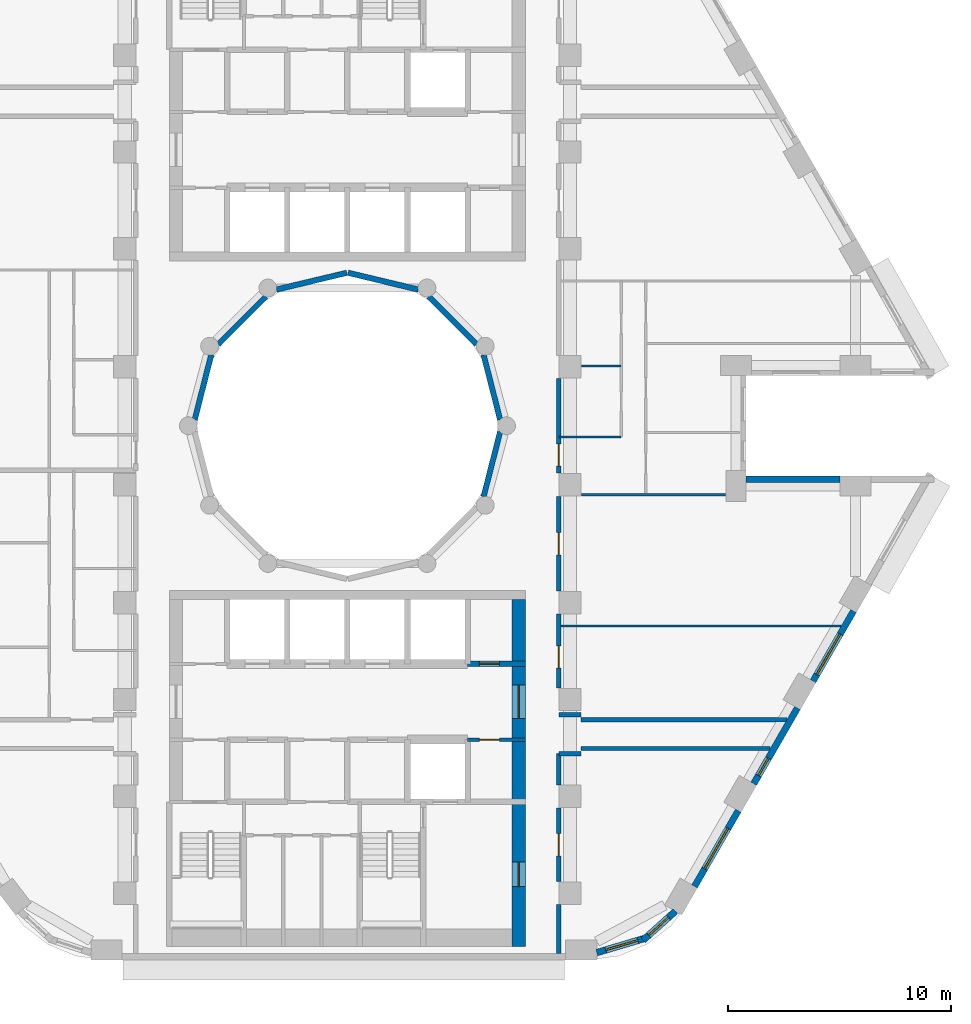
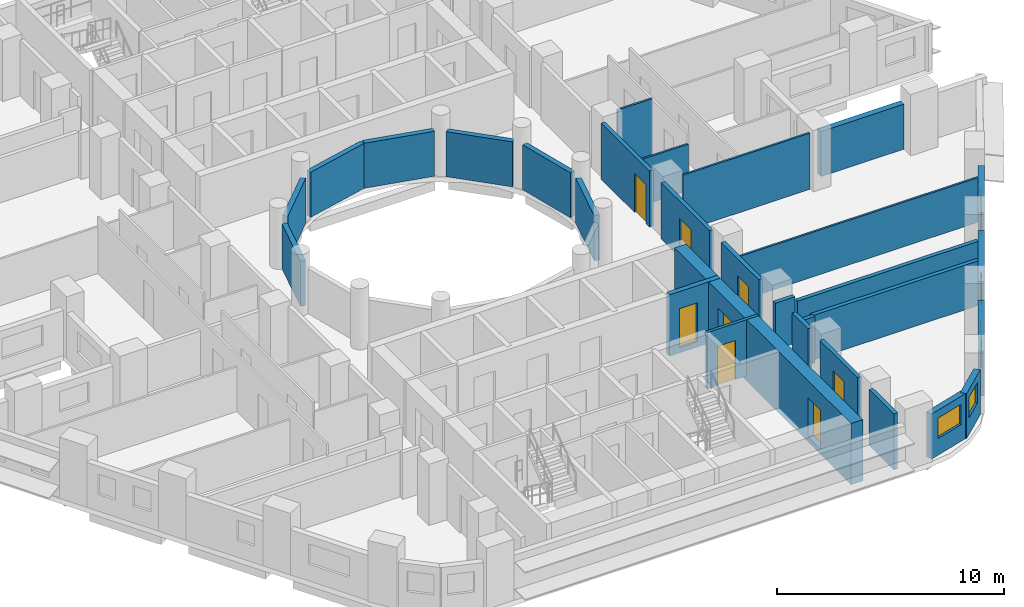
# One storey, part 5 of 12: 30 walls, 8 doors, 5 windows, 13 openings.
"""IFC4 building model written with IfcOpenShell, lengths in metres."""

from ifc_helpers import new_model, si_unit, direction, frame, frame_2d, origin, place, context, subcontext, project, spatial, rectangle, extrude, material, layer, layer_set, type_object, element, fill, save


model = new_model("IFC4")

# Units and contexts
model_context = context("Model", 3, precision=1e-05, world=origin(), true_north=direction((0.0, 1.0)))
body_context = subcontext(model_context, "Body", "Model", "MODEL_VIEW")
ifc_project = project(units=[si_unit("LENGTHUNIT", "METRE"), si_unit("AREAUNIT", "SQUARE_METRE"), si_unit("VOLUMEUNIT", "CUBIC_METRE"), si_unit("PLANEANGLEUNIT", "RADIAN"), si_unit("MASSUNIT", "GRAM", prefix="KILO")], contexts=[model_context])

# Site, building, storey
site_placement = place(None, origin())
site = spatial("IfcSite", under=ifc_project, at=site_placement, CompositionType="ELEMENT")
building_placement = place(site_placement, origin())
building = spatial("IfcBuilding", under=site, at=building_placement, Name="Nakaniwa Court", CompositionType="ELEMENT")
storey_placement = place(building_placement, frame((0.0, 0.0, 100.800048828125)))
storey = spatial("IfcBuildingStorey", under=building, at=storey_placement, Name="L26", CompositionType="ELEMENT", Elevation=100.800048828125)

# Wall
ifc_material_1 = material(Name="Acoustic double stud partition")
ifc_layer_1 = layer(ifc_material_1, 0.199951171875)
ifc_layer_set_1 = layer_set([ifc_layer_1], Name="Acoustic double stud partition")
wall_type_1 = type_object("IfcWallType", Name="Acoustic double stud partition 200", PredefinedType="PARTITIONING", material=ifc_layer_set_1)
wall_1_placement = place(storey_placement, frame((89.5, 56.300048828125, 0.0), z_axis=(0.0, 0.0, 1.0), x_axis=(0.0, 1.0, 0.0)))
element("IfcWall", 1, at=wall_1_placement, inside=storey, type_object=wall_type_1, Name="Partition PW-069", PredefinedType="PARTITIONING", context=body_context, shape_type="SweptSolid", body=[
    extrude(rectangle(XDim=2.182861328125, YDim=0.199951171875, at=frame_2d((1.09130859375, 0.0))), origin(), (0.0, 0.0, 1.0), 3.02490234375),
])

# Wall, opening, door
wall_2_placement = place(storey_placement, frame((89.5, 62.8330078125, 0.0), z_axis=(0.0, 0.0, 1.0), x_axis=(0.0, -1.0, 0.0)))
wall_2 = element("IfcWall", 2, at=wall_2_placement, inside=storey, type_object=wall_type_1, Name="Partition PW-070", PredefinedType="PARTITIONING", context=body_context, shape_type="SweptSolid", body=[
    extrude(rectangle(XDim=3.31591796875, YDim=0.199951171875, at=frame_2d((1.657958984375, 0.0))), origin(), (0.0, 0.0, 1.0), 3.02490234375),
])
opening_1_placement = place(wall_2_placement, frame((1.157958984375, 0.0, 0.0)))
opening_1 = element("IfcOpeningElement", 3, at=opening_1_placement, cuts=wall_2, Name="Opening D-02-05", PredefinedType="OPENING", context=body_context, shape_type="SweptSolid", body=[
    extrude(rectangle(XDim=1.0, YDim=2.10009765625, at=frame_2d((0.5, 1.050048828125))), frame((0.0, 0.10986328125, 0.0), z_axis=(0.0, -1.0, 0.0), x_axis=(1.0, 0.0, 0.0)), (0.0, 0.0, 1.0), 0.219970703125),
])
ifc_material_2 = material(Name="Solid core timber door set, black veneer", Category="wood")
door_type_1 = type_object("IfcDoorType", Name="Internal door 1000", OperationType="NOTDEFINED", PredefinedType="DOOR", material=ifc_material_2)
door_1_placement = place(opening_1_placement, origin())
door_1 = element("IfcDoor", 4, at=door_1_placement, inside=storey, type_object=door_type_1, Name="Door D-02-05 L26-047", OperationType="SINGLE_SWING_RIGHT", OverallHeight=2.10009765625, OverallWidth=1.0, PredefinedType="DOOR", context=body_context, shape_type="SweptSolid", body=[
    extrude(rectangle(XDim=1.0, YDim=2.10009765625, at=frame_2d((0.5, 1.050048828125))), frame((0.0, 0.02490234375, 0.0), z_axis=(0.0, -1.0, 0.0), x_axis=(1.0, 0.0, 0.0)), (0.0, 0.0, 1.0), 0.050048828125),
])
fill(opening_1, door_1)

# Wall
wall_3_placement = place(storey_placement, frame((89.5, 63.866943359375, 0.0), z_axis=(0.0, 0.0, 1.0), x_axis=(0.0, 1.0, 0.0)))
element("IfcWall", 5, at=wall_3_placement, inside=storey, type_object=wall_type_1, Name="Partition PW-071", PredefinedType="PARTITIONING", context=body_context, shape_type="SweptSolid", body=[
    extrude(rectangle(XDim=1.4111328125, YDim=0.199951171875, at=frame_2d((0.70556640625, 0.0))), origin(), (0.0, 0.0, 1.0), 3.02490234375),
])

# Wall, opening, door
wall_4_placement = place(storey_placement, frame((89.5, 71.532958984375, 0.0), z_axis=(0.0, 0.0, 1.0), x_axis=(0.0, -1.0, 0.0)))
wall_4 = element("IfcWall", 6, at=wall_4_placement, inside=storey, type_object=wall_type_1, Name="Partition PW-072", PredefinedType="PARTITIONING", context=body_context, shape_type="SweptSolid", body=[
    extrude(rectangle(XDim=3.31591796875, YDim=0.199951171875, at=frame_2d((1.657958984375, 0.0))), origin(), (0.0, 0.0, 1.0), 3.02490234375),
])
opening_2_placement = place(wall_4_placement, frame((1.423095703125, 0.0, 0.0)))
opening_2 = element("IfcOpeningElement", 7, at=opening_2_placement, cuts=wall_4, Name="Opening D-02-06", PredefinedType="OPENING", context=body_context, shape_type="SweptSolid", body=[
    extrude(rectangle(XDim=1.0, YDim=2.10009765625, at=frame_2d((0.5, 1.050048828125))), frame((0.0, 0.10986328125, 0.0), z_axis=(0.0, -1.0, 0.0), x_axis=(1.0, 0.0, 0.0)), (0.0, 0.0, 1.0), 0.219970703125),
])
door_2_placement = place(opening_2_placement, origin())
door_2 = element("IfcDoor", 8, at=door_2_placement, inside=storey, type_object=door_type_1, Name="Door D-02-06 L26-048", OperationType="SINGLE_SWING_LEFT", OverallHeight=2.10009765625, OverallWidth=1.0, PredefinedType="DOOR", context=body_context, shape_type="SweptSolid", body=[
    extrude(rectangle(XDim=1.0, YDim=2.10009765625, at=frame_2d((0.5, 1.050048828125))), frame((0.0, 0.02490234375, 0.0), z_axis=(0.0, -1.0, 0.0), x_axis=(1.0, 0.0, 0.0)), (0.0, 0.0, 1.0), 0.050048828125),
])
fill(opening_2, door_2)

wall_5_placement = place(storey_placement, frame((89.5, 76.8330078125, 0.0), z_axis=(0.0, 0.0, 1.0), x_axis=(0.0, -1.0, 0.0)))
wall_5 = element("IfcWall", 9, at=wall_5_placement, inside=storey, type_object=wall_type_1, Name="Partition PW-073", PredefinedType="PARTITIONING", context=body_context, shape_type="SweptSolid", body=[
    extrude(rectangle(XDim=4.26611328125, YDim=0.199951171875, at=frame_2d((2.133056640625, 0.0))), origin(), (0.0, 0.0, 1.0), 3.02490234375),
])
opening_3_placement = place(wall_5_placement, frame((1.633056640625, 0.0, 0.0)))
opening_3 = element("IfcOpeningElement", 10, at=opening_3_placement, cuts=wall_5, Name="Opening D-02-01", PredefinedType="OPENING", context=body_context, shape_type="SweptSolid", body=[
    extrude(rectangle(XDim=1.0, YDim=2.10009765625, at=frame_2d((0.5, 1.050048828125))), frame((0.0, 0.10986328125, 0.0), z_axis=(0.0, -1.0, 0.0), x_axis=(1.0, 0.0, 0.0)), (0.0, 0.0, 1.0), 0.219970703125),
])
door_3_placement = place(opening_3_placement, origin())
door_3 = element("IfcDoor", 11, at=door_3_placement, inside=storey, type_object=door_type_1, Name="Door D-02-01 L26-027", OperationType="SINGLE_SWING_RIGHT", OverallHeight=2.10009765625, OverallWidth=1.0, PredefinedType="DOOR", context=body_context, shape_type="SweptSolid", body=[
    extrude(rectangle(XDim=1.0, YDim=2.10009765625, at=frame_2d((0.5, 1.050048828125))), frame((0.0, 0.02490234375, 0.0), z_axis=(0.0, -1.0, 0.0), x_axis=(1.0, 0.0, 0.0)), (0.0, 0.0, 1.0), 0.050048828125),
])
fill(opening_3, door_3)

wall_6_placement = place(storey_placement, frame((89.5, 82.133056640625, 0.0), z_axis=(0.0, 0.0, 1.0), x_axis=(0.0, -1.0, 0.0)))
wall_6 = element("IfcWall", 12, at=wall_6_placement, inside=storey, type_object=wall_type_1, Name="Partition PW-074", PredefinedType="PARTITIONING", context=body_context, shape_type="SweptSolid", body=[
    extrude(rectangle(XDim=4.26611328125, YDim=0.199951171875, at=frame_2d((2.133056640625, 0.0))), origin(), (0.0, 0.0, 1.0), 3.02490234375),
])
opening_4_placement = place(wall_6_placement, frame((2.947998046875, 0.0, 0.0)))
opening_4 = element("IfcOpeningElement", 13, at=opening_4_placement, cuts=wall_6, Name="Opening D-01-01", PredefinedType="OPENING", context=body_context, shape_type="SweptSolid", body=[
    extrude(rectangle(XDim=1.0, YDim=2.10009765625, at=frame_2d((0.5, 1.050048828125))), frame((0.0, 0.10986328125, 0.0), z_axis=(0.0, -1.0, 0.0), x_axis=(1.0, 0.0, 0.0)), (0.0, 0.0, 1.0), 0.219970703125),
])
door_type_2 = type_object("IfcDoorType", Name="Flat entrance door 1000", OperationType="NOTDEFINED", PredefinedType="DOOR", material=ifc_material_2)
door_4_placement = place(opening_4_placement, origin())
door_4 = element("IfcDoor", 14, at=door_4_placement, inside=storey, type_object=door_type_2, Name="Door D-01-01 L26-028", OperationType="SINGLE_SWING_LEFT", OverallHeight=2.10009765625, OverallWidth=1.0, PredefinedType="DOOR", context=body_context, shape_type="SweptSolid", body=[
    extrude(rectangle(XDim=1.0, YDim=2.10009765625, at=frame_2d((0.5, 1.050048828125))), frame((0.0, 0.02490234375, 0.0), z_axis=(0.0, -1.0, 0.0), x_axis=(1.0, 0.0, 0.0)), (0.0, 0.0, 1.0), 0.050048828125),
])
fill(opening_4, door_4)

# Walls
wall_7_placement = place(storey_placement, frame((90.5, 65.5, 0.0), z_axis=(0.0, 0.0, 1.0), x_axis=(1.0, 0.0, 0.0)))
element("IfcWall", 15, at=wall_7_placement, inside=storey, type_object=wall_type_1, Name="Partition PW-090", PredefinedType="PARTITIONING", context=body_context, shape_type="SweptSolid", body=[
    extrude(rectangle(XDim=8.494873046875, YDim=0.199951171875, at=frame_2d((4.24755859375, 0.0))), origin(), (0.0, 0.0, 1.0), 2.405029296875),
])
for number, where, z_axis, x_axis, name in (
    (16, (89.5, 65.27490234375, 0.0), (0.0, 0.0, 1.0), (1.0, 0.0, 0.0), "Partition PW-092"),
    (17, (89.5, 67.02490234375, 0.0), (0.0, 0.0, 1.0), (1.0, 0.0, 0.0), "Partition PW-094"),
):
    element("IfcWall", number, at=place(storey_placement, frame(where, z_axis=z_axis, x_axis=x_axis)), inside=storey, type_object=wall_type_1, Name=name, PredefinedType="PARTITIONING", context=body_context, shape_type="SweptSolid", body=[
        extrude(rectangle(XDim=1.0, YDim=0.199951171875, at=frame_2d((0.5, 0.0))), origin(), (0.0, 0.0, 1.0), 2.5048828125),
    ])
wall_8_placement = place(storey_placement, frame((90.5, 66.800048828125, 0.0), z_axis=(0.0, 0.0, 1.0), x_axis=(1.0, 0.0, 0.0)))
element("IfcWall", 18, at=wall_8_placement, inside=storey, type_object=wall_type_1, Name="Partition PW-096", PredefinedType="PARTITIONING", context=body_context, shape_type="SweptSolid", body=[
    extrude(rectangle(XDim=9.245361328125, YDim=0.199951171875, at=frame_2d((4.62255859375, 0.0))), origin(), (0.0, 0.0, 1.0), 2.405029296875),
])

# Wall, opening, window
ifc_material_3 = material(Name="Charcoal ceramic cladding")
ifc_layer_2 = layer(ifc_material_3, 0.02, Name="Ceramic cladding")
ifc_material_4 = material(Name="Ventilated air cavity")
ifc_layer_3 = layer(ifc_material_4, 0.04, ventilated=True, Name="Ventilated cavity")
ifc_material_5 = material(Name="Mineral wool insulation")
ifc_layer_4 = layer(ifc_material_5, 0.1, Name="Insulation")
ifc_material_6 = material(Name="Cement bonded sheathing board")
ifc_layer_5 = layer(ifc_material_6, 0.012, Name="Sheathing")
ifc_material_7 = material(Name="Cold-formed galvanised stud frame with mineral wool infill")
ifc_layer_6 = layer(ifc_material_7, 0.1, Name="Stud frame")
ifc_material_8 = material(Name="Fire-rated gypsum plasterboard lining")
ifc_layer_7 = layer(ifc_material_8, 0.028, Name="Lining")
ifc_layer_set_2 = layer_set([ifc_layer_2, ifc_layer_3, ifc_layer_4, ifc_layer_5, ifc_layer_6, ifc_layer_7], Name="Charcoal ceramic faced external wall system")
wall_type_2 = type_object("IfcWallType", Name="Black ceramic faced external wall 300", PredefinedType="SOLIDWALL", material=ifc_layer_set_2)
wall_9_placement = place(storey_placement, frame((91.203369140625, 56.329833984375, 0.0), z_axis=(0.0, 0.0, 1.0), x_axis=(0.95847736903, 0.285168604614, 0.0)))
wall_9 = element("IfcWall", 19, at=wall_9_placement, inside=storey, type_object=wall_type_2, Name="L26 external wall 27", PredefinedType="SOLIDWALL", context=body_context, shape_type="SweptSolid", body=[
    extrude(rectangle(XDim=2.261962890625, YDim=0.300048828125, at=frame_2d((1.130859375, 0.0))), origin(), (0.0, 0.0, 1.0), 2.425048828125),
])
opening_5_placement = place(wall_9_placement, frame((0.418701171875, 0.0, 0.89990234375)))
opening_5 = element("IfcOpeningElement", 20, at=opening_5_placement, cuts=wall_9, Name="Opening W5.29", PredefinedType="OPENING", context=body_context, shape_type="SweptSolid", body=[
    extrude(rectangle(XDim=1.5, YDim=1.10009765625, at=frame_2d((0.75, 0.550048828125))), frame((0.0, 0.159912109375, 0.0), z_axis=(0.0, -1.0, 0.0), x_axis=(1.0, 0.0, 0.0)), (0.0, 0.0, 1.0), 0.320068359375),
])
ifc_material_9 = material(Name="Black anodised aluminium frame with dark low-E laminated double glazing", Category="aluminium")
window_type_1 = type_object("IfcWindowType", Name="Dark glass window 1500x1100 sill 900", PartitioningType="SINGLE_PANEL", PredefinedType="WINDOW", material=ifc_material_9)
window_1_placement = place(opening_5_placement, origin())
window_1 = element("IfcWindow", 21, at=window_1_placement, inside=storey, type_object=window_type_1, Name="L26 habitable room window 27-0", OverallHeight=1.10009765625, OverallWidth=1.5, PartitioningType="SINGLE_PANEL", PredefinedType="WINDOW", context=body_context, shape_type="SweptSolid", body=[
    extrude(rectangle(XDim=1.5, YDim=1.10009765625, at=frame_2d((0.75, 0.550048828125))), frame((0.0, 0.030029296875, 0.0), z_axis=(0.0, -1.0, 0.0), x_axis=(1.0, 0.0, 0.0)), (0.0, 0.0, 1.0), 0.06005859375),
])
fill(opening_5, window_1)

wall_10_placement = place(storey_placement, frame((93.283447265625, 56.88671875, 0.0), z_axis=(0.0, 0.0, 1.0), x_axis=(0.743785734967, 0.668418117992, 0.0)))
wall_10 = element("IfcWall", 22, at=wall_10_placement, inside=storey, type_object=wall_type_2, Name="L26 external wall 28", PredefinedType="SOLIDWALL", context=body_context, shape_type="SweptSolid", body=[
    extrude(rectangle(XDim=1.9501953125, YDim=0.300048828125, at=frame_2d((0.97509765625, 0.0))), origin(), (0.0, 0.0, 1.0), 2.425048828125),
])
opening_6_placement = place(wall_10_placement, frame((0.334716796875, 0.0, 0.89990234375)))
opening_6 = element("IfcOpeningElement", 23, at=opening_6_placement, cuts=wall_10, Name="Opening W6.30", PredefinedType="OPENING", context=body_context, shape_type="SweptSolid", body=[
    extrude(rectangle(XDim=1.199951171875, YDim=1.10009765625, at=frame_2d((0.60009765625, 0.550048828125))), frame((0.0, 0.159912109375, 0.0), z_axis=(0.0, -1.0, 0.0), x_axis=(1.0, 0.0, 0.0)), (0.0, 0.0, 1.0), 0.320068359375),
])
window_type_2 = type_object("IfcWindowType", Name="Dark glass window 1200x1100 sill 900", PartitioningType="SINGLE_PANEL", PredefinedType="WINDOW", material=ifc_material_9)
window_2_placement = place(opening_6_placement, origin())
window_2 = element("IfcWindow", 24, at=window_2_placement, inside=storey, type_object=window_type_2, Name="L26 habitable room window 28-0", OverallHeight=1.10009765625, OverallWidth=1.199951171875, PartitioningType="SINGLE_PANEL", PredefinedType="WINDOW", context=body_context, shape_type="SweptSolid", body=[
    extrude(rectangle(XDim=1.199951171875, YDim=1.10009765625, at=frame_2d((0.60009765625, 0.550048828125))), frame((0.0, 0.030029296875, 0.0), z_axis=(0.0, -1.0, 0.0), x_axis=(1.0, 0.0, 0.0)), (0.0, 0.0, 1.0), 0.06005859375),
])
fill(opening_6, window_2)

wall_11_placement = place(storey_placement, frame((95.59033203125, 59.30322265625, 0.0), z_axis=(0.0, 0.0, 1.0), x_axis=(0.500003583557, 0.866023334807, 0.0)))
wall_11 = element("IfcWall", 25, at=wall_11_placement, inside=storey, type_object=wall_type_2, Name="L26 external wall 29", PredefinedType="SOLIDWALL", context=body_context, shape_type="SweptSolid", body=[
    extrude(rectangle(XDim=3.93408203125, YDim=0.300048828125, at=frame_2d((1.967041015625, 0.0))), origin(), (0.0, 0.0, 1.0), 2.425048828125),
])
opening_7_placement = place(wall_11_placement, frame((0.9169921875, 0.0, 0.89990234375)))
opening_7 = element("IfcOpeningElement", 26, at=opening_7_placement, cuts=wall_11, Name="Opening W7.31", PredefinedType="OPENING", context=body_context, shape_type="SweptSolid", body=[
    extrude(rectangle(XDim=2.10009765625, YDim=1.10009765625, at=frame_2d((1.050048828125, 0.550048828125))), frame((0.0, 0.159912109375, 0.0), z_axis=(0.0, -1.0, 0.0), x_axis=(1.0, 0.0, 0.0)), (0.0, 0.0, 1.0), 0.320068359375),
])
window_type_3 = type_object("IfcWindowType", Name="Dark glass window 2100x1100 sill 900", PartitioningType="SINGLE_PANEL", PredefinedType="WINDOW", material=ifc_material_9)
window_3_placement = place(opening_7_placement, origin())
window_3 = element("IfcWindow", 27, at=window_3_placement, inside=storey, type_object=window_type_3, Name="L26 habitable room window 29-0", OverallHeight=1.10009765625, OverallWidth=2.10009765625, PartitioningType="SINGLE_PANEL", PredefinedType="WINDOW", context=body_context, shape_type="SweptSolid", body=[
    extrude(rectangle(XDim=2.10009765625, YDim=1.10009765625, at=frame_2d((1.050048828125, 0.550048828125))), frame((0.0, 0.030029296875, 0.0), z_axis=(0.0, -1.0, 0.0), x_axis=(1.0, 0.0, 0.0)), (0.0, 0.0, 1.0), 0.06005859375),
])
fill(opening_7, window_3)

wall_12_placement = place(storey_placement, frame((98.25341796875, 63.91552734375, 0.0), z_axis=(0.0, 0.0, 1.0), x_axis=(0.499957037901, 0.866050206543, 0.0)))
wall_12 = element("IfcWall", 28, at=wall_12_placement, inside=storey, type_object=wall_type_2, Name="L26 external wall 30", PredefinedType="SOLIDWALL", context=body_context, shape_type="SweptSolid", body=[
    extrude(rectangle(XDim=3.933837890625, YDim=0.300048828125, at=frame_2d((1.966796875, 0.0))), origin(), (0.0, 0.0, 1.0), 2.425048828125),
])
opening_8_placement = place(wall_12_placement, frame((0.427734375, 0.0, 0.89990234375)))
opening_8 = element("IfcOpeningElement", 29, at=opening_8_placement, cuts=wall_12, Name="Opening W9.32", PredefinedType="OPENING", context=body_context, shape_type="SweptSolid", body=[
    extrude(rectangle(XDim=0.89990234375, YDim=1.10009765625, at=frame_2d((0.449951171875, 0.550048828125))), frame((0.0, 0.159912109375, 0.0), z_axis=(0.0, -1.0, 0.0), x_axis=(1.0, 0.0, 0.0)), (0.0, 0.0, 1.0), 0.320068359375),
])
window_type_4 = type_object("IfcWindowType", Name="Dark glass window 900x1100 sill 900", PartitioningType="SINGLE_PANEL", PredefinedType="WINDOW", material=ifc_material_9)
window_4_placement = place(opening_8_placement, origin())
window_4 = element("IfcWindow", 30, at=window_4_placement, inside=storey, type_object=window_type_4, Name="L26 habitable room window 30-0", OverallHeight=1.10009765625, OverallWidth=0.89990234375, PartitioningType="SINGLE_PANEL", PredefinedType="WINDOW", context=body_context, shape_type="SweptSolid", body=[
    extrude(rectangle(XDim=0.89990234375, YDim=1.10009765625, at=frame_2d((0.449951171875, 0.550048828125))), frame((0.0, 0.030029296875, 0.0), z_axis=(0.0, -1.0, 0.0), x_axis=(1.0, 0.0, 0.0)), (0.0, 0.0, 1.0), 0.06005859375),
])
fill(opening_8, window_4)

wall_13_placement = place(storey_placement, frame((100.916259765625, 68.528076171875, 0.0), z_axis=(0.0, 0.0, 1.0), x_axis=(0.500009139881, 0.866020126807, 0.0)))
wall_13 = element("IfcWall", 31, at=wall_13_placement, inside=storey, type_object=wall_type_2, Name="L26 external wall 31", PredefinedType="SOLIDWALL", context=body_context, shape_type="SweptSolid", body=[
    extrude(rectangle(XDim=3.63671875, YDim=0.300048828125, at=frame_2d((1.818359375, 0.0))), origin(), (0.0, 0.0, 1.0), 2.425048828125),
])
opening_9_placement = place(wall_13_placement, frame((0.340087890625, 0.0, 0.89990234375)))
opening_9 = element("IfcOpeningElement", 32, at=opening_9_placement, cuts=wall_13, Name="Opening W7.33", PredefinedType="OPENING", context=body_context, shape_type="SweptSolid", body=[
    extrude(rectangle(XDim=2.10009765625, YDim=1.10009765625, at=frame_2d((1.050048828125, 0.550048828125))), frame((0.0, 0.159912109375, 0.0), z_axis=(0.0, -1.0, 0.0), x_axis=(1.0, 0.0, 0.0)), (0.0, 0.0, 1.0), 0.320068359375),
])
window_5_placement = place(opening_9_placement, origin())
window_5 = element("IfcWindow", 33, at=window_5_placement, inside=storey, type_object=window_type_3, Name="L26 habitable room window 31-0", OverallHeight=1.10009765625, OverallWidth=2.10009765625, PartitioningType="SINGLE_PANEL", PredefinedType="WINDOW", context=body_context, shape_type="SweptSolid", body=[
    extrude(rectangle(XDim=2.10009765625, YDim=1.10009765625, at=frame_2d((1.050048828125, 0.550048828125))), frame((0.0, 0.030029296875, 0.0), z_axis=(0.0, -1.0, 0.0), x_axis=(1.0, 0.0, 0.0)), (0.0, 0.0, 1.0), 0.06005859375),
])
fill(opening_9, window_5)

# Wall
wall_14_placement = place(storey_placement, frame((102.126953125, 77.60009765625, 0.0), z_axis=(0.0, 0.0, 1.0), x_axis=(-1.0, 0.0, 0.0)))
element("IfcWall", 34, at=wall_14_placement, inside=storey, type_object=wall_type_2, Name="L26 external wall 34", PredefinedType="SOLIDWALL", context=body_context, shape_type="SweptSolid", body=[
    extrude(rectangle(XDim=4.22265625, YDim=0.300048828125, at=frame_2d((2.111328125, 0.0))), origin(), (0.0, 0.0, 1.0), 2.425048828125),
])

# Wall, opening, door
ifc_material_10 = material(Name="Blockwork partition", Category="masonry")
ifc_layer_8 = layer(ifc_material_10, 0.14990234375)
ifc_layer_set_3 = layer_set([ifc_layer_8], Name="Blockwork partition")
wall_type_3 = type_object("IfcWallType", Name="Blockwork partition 150", PredefinedType="PARTITIONING", material=ifc_layer_set_3)
wall_15_placement = place(storey_placement, frame((88.0, 65.89990234375, 0.0), z_axis=(0.0, 0.0, 1.0), x_axis=(-1.0, 0.0, 0.0)))
wall_15 = element("IfcWall", 35, at=wall_15_placement, inside=storey, type_object=wall_type_3, Name="Partition PW-052", PredefinedType="PARTITIONING", context=body_context, shape_type="SweptSolid", body=[
    extrude(rectangle(XDim=2.60302734375, YDim=0.14990234375, at=frame_2d((1.301513671875, 0.0))), origin(), (0.0, 0.0, 1.0), 3.02490234375),
])
opening_10_placement = place(wall_15_placement, frame((1.175048828125, 0.0, 0.0)))
opening_10 = element("IfcOpeningElement", 36, at=opening_10_placement, cuts=wall_15, Name="Opening D-05-13", PredefinedType="OPENING", context=body_context, shape_type="SweptSolid", body=[
    extrude(rectangle(XDim=0.89990234375, YDim=2.10009765625, at=frame_2d((0.449951171875, 1.050048828125))), frame((0.0, 0.0849609375, 0.0), z_axis=(0.0, -1.0, 0.0), x_axis=(1.0, 0.0, 0.0)), (0.0, 0.0, 1.0), 0.169921875),
])
ifc_material_11 = material(Name="Fire rated steel door set", Category="steel")
door_type_3 = type_object("IfcDoorType", Name="Service room door 900", OperationType="NOTDEFINED", PredefinedType="DOOR", material=ifc_material_11)
door_5_placement = place(opening_10_placement, origin())
door_5 = element("IfcDoor", 37, at=door_5_placement, inside=storey, type_object=door_type_3, Name="Door D-05-13 L26-020", OperationType="SINGLE_SWING_LEFT", OverallHeight=2.10009765625, OverallWidth=0.89990234375, PredefinedType="DOOR", context=body_context, shape_type="SweptSolid", body=[
    extrude(rectangle(XDim=0.89990234375, YDim=2.10009765625, at=frame_2d((0.449951171875, 1.050048828125))), frame((0.0, 0.02490234375, 0.0), z_axis=(0.0, -1.0, 0.0), x_axis=(1.0, 0.0, 0.0)), (0.0, 0.0, 1.0), 0.050048828125),
])
fill(opening_10, door_5)

# Walls
ifc_layer_9 = layer(ifc_material_3, 0.02, Name="Ceramic cladding")
ifc_layer_10 = layer(ifc_material_4, 0.04, ventilated=True, Name="Ventilated cavity")
ifc_layer_11 = layer(ifc_material_5, 0.075, Name="Insulation")
ifc_layer_12 = layer(ifc_material_6, 0.012, Name="Sheathing")
ifc_layer_13 = layer(ifc_material_7, 0.075, Name="Stud frame")
ifc_layer_14 = layer(ifc_material_8, 0.028, Name="Lining")
ifc_layer_set_4 = layer_set([ifc_layer_9, ifc_layer_10, ifc_layer_11, ifc_layer_12, ifc_layer_13, ifc_layer_14], Name="Charcoal ceramic faced external wall system")
wall_type_4 = type_object("IfcWallType", Name="Charcoal ceramic faced well wall 250", PredefinedType="SOLIDWALL", material=ifc_layer_set_4)
for number, where, z_axis, x_axis, name in (
    (38, (86.8603515625, 79.72998046875, 0.0), (0.0, 0.0, 1.0), (-0.247055971283, -0.969001211069, 0.0), "L26 external wall 36"),
    (39, (73.1396484375, 80.27001953125, 0.0), (0.0, 0.0, 1.0), (0.247055971283, 0.969001211069, 0.0), "L26 external wall 42"),
):
    element("IfcWall", number, at=place(storey_placement, frame(where, z_axis=z_axis, x_axis=x_axis)), inside=storey, type_object=wall_type_4, Name=name, PredefinedType="SOLIDWALL", context=body_context, shape_type="SweptSolid", body=[
        extrude(rectangle(XDim=3.010009765625, YDim=0.25, at=frame_2d((1.5048828125, 0.0))), origin(), (0.0, 0.0, 1.0), 2.425048828125),
    ])
wall_16_placement = place(storey_placement, frame((74.1943359375, 83.660888671875, 0.0), z_axis=(0.0, 0.0, 1.0), x_axis=(0.707106781187, 0.707106781187, 0.0)))
element("IfcWall", 40, at=wall_16_placement, inside=storey, type_object=wall_type_4, Name="L26 external wall 43", PredefinedType="SOLIDWALL", context=body_context, shape_type="SweptSolid", body=[
    extrude(rectangle(XDim=3.033203125, YDim=0.25, at=frame_2d((1.5166015625, 0.0))), origin(), (0.0, 0.0, 1.0), 2.425048828125),
])
for number, where, z_axis, x_axis, name in (
    (41, (76.813720703125, 86.119384765625, 0.0), (0.0, 0.0, 1.0), (0.972773113459, 0.231759508395, 0.0), "L26 external wall 44"),
    (42, (80.029052734375, 86.87158203125, 0.0), (0.0, 0.0, 1.0), (0.972773113459, -0.231759508395, 0.0), "L26 external wall 45"),
):
    element("IfcWall", number, at=place(storey_placement, frame(where, z_axis=z_axis, x_axis=x_axis)), inside=storey, type_object=wall_type_4, Name=name, PredefinedType="SOLIDWALL", context=body_context, shape_type="SweptSolid", body=[
        extrude(rectangle(XDim=3.24560546875, YDim=0.25, at=frame_2d((1.622802734375, 0.0))), origin(), (0.0, 0.0, 1.0), 2.425048828125),
    ])
wall_17_placement = place(storey_placement, frame((83.660888671875, 85.8056640625, 0.0), z_axis=(0.0, 0.0, 1.0), x_axis=(0.707106781187, -0.707106781187, 0.0)))
element("IfcWall", 43, at=wall_17_placement, inside=storey, type_object=wall_type_4, Name="L26 external wall 46", PredefinedType="SOLIDWALL", context=body_context, shape_type="SweptSolid", body=[
    extrude(rectangle(XDim=3.033203125, YDim=0.25, at=frame_2d((1.5166015625, 0.0))), origin(), (0.0, 0.0, 1.0), 2.425048828125),
])
wall_18_placement = place(storey_placement, frame((86.11669921875, 83.186767578125, 0.0), z_axis=(0.0, 0.0, 1.0), x_axis=(0.247055971283, -0.969001211069, 0.0)))
element("IfcWall", 44, at=wall_18_placement, inside=storey, type_object=wall_type_4, Name="L26 external wall 47", PredefinedType="SOLIDWALL", context=body_context, shape_type="SweptSolid", body=[
    extrude(rectangle(XDim=3.010009765625, YDim=0.25, at=frame_2d((1.5048828125, 0.0))), origin(), (0.0, 0.0, 1.0), 2.425048828125),
])

# Wall, openings, doors
ifc_material_12 = material(Name="Concrete C80/100", Category="concrete")
ifc_layer_15 = layer(ifc_material_12, 0.60009765625)
ifc_layer_set_5 = layer_set([ifc_layer_15], Name="Concrete C80/100")
wall_type_5 = type_object("IfcWallType", Name="Concrete core side wall 600 C80", PredefinedType="SHEAR", material=ifc_layer_set_5)
wall_19_placement = place(storey_placement, frame((87.699951171875, 72.199951171875, -0.275146484375), z_axis=(0.0, 0.0, 1.0), x_axis=(0.0, -1.0, 0.0)))
wall_19 = element("IfcWall", 45, at=wall_19_placement, inside=storey, type_object=wall_type_5, Name="Core wall SW-49", PredefinedType="SHEAR", context=body_context, shape_type="SweptSolid", body=[
    extrude(rectangle(XDim=15.599853515625, YDim=0.60009765625, at=frame_2d((7.7998046875, 0.0))), origin(), (0.0, 0.0, 1.0), 3.300048828125),
])
opening_11_placement = place(wall_19_placement, frame((3.85009765625, 0.0, 0.27490234375)))
opening_11 = element("IfcOpeningElement", 46, at=opening_11_placement, cuts=wall_19, Name="Opening D-07-03", PredefinedType="OPENING", context=body_context, shape_type="SweptSolid", body=[
    extrude(rectangle(XDim=1.5, YDim=2.10009765625, at=frame_2d((0.75, 1.050048828125))), frame((0.0, 0.31005859375, 0.0), z_axis=(0.0, -1.0, 0.0), x_axis=(1.0, 0.0, 0.0)), (0.0, 0.0, 1.0), 0.6201171875),
])
opening_12_placement = place(wall_19_placement, frame((11.800048828125, 0.0, 0.27490234375)))
opening_12 = element("IfcOpeningElement", 47, at=opening_12_placement, cuts=wall_19, Name="Opening D-10-02", PredefinedType="OPENING", context=body_context, shape_type="SweptSolid", body=[
    extrude(rectangle(XDim=1.10009765625, YDim=2.10009765625, at=frame_2d((0.550048828125, 1.050048828125))), frame((0.0, 0.31005859375, 0.0), z_axis=(0.0, -1.0, 0.0), x_axis=(1.0, 0.0, 0.0)), (0.0, 0.0, 1.0), 0.6201171875),
])
door_type_4 = type_object("IfcDoorType", Name="Firefighting lobby door 1100", OperationType="NOTDEFINED", PredefinedType="DOOR", material=ifc_material_11)
door_6_placement = place(opening_12_placement, origin())
door_6 = element("IfcDoor", 48, at=door_6_placement, inside=storey, type_object=door_type_4, Name="Door D-10-02 L26-056", OperationType="SINGLE_SWING_LEFT", OverallHeight=2.10009765625, OverallWidth=1.10009765625, PredefinedType="DOOR", context=body_context, shape_type="SweptSolid", body=[
    extrude(rectangle(XDim=1.10009765625, YDim=2.10009765625, at=frame_2d((0.550048828125, 1.050048828125))), frame((0.0, 0.02490234375, 0.0), z_axis=(0.0, -1.0, 0.0), x_axis=(1.0, 0.0, 0.0)), (0.0, 0.0, 1.0), 0.050048828125),
])
fill(opening_12, door_6)
ifc_material_13 = material(Name="Glazed fire rated steel double door set", Category="steel")
door_type_5 = type_object("IfcDoorType", Name="Lobby double door 1500", OperationType="NOTDEFINED", PredefinedType="DOOR", material=ifc_material_13)
door_7_placement = place(opening_11_placement, origin())
door_7 = element("IfcDoor", 49, at=door_7_placement, inside=storey, type_object=door_type_5, Name="Door D-07-03 L26-054", OperationType="DOUBLE_DOOR_SINGLE_SWING", OverallHeight=2.10009765625, OverallWidth=1.5, PredefinedType="DOOR", context=body_context, shape_type="SweptSolid", body=[
    extrude(rectangle(XDim=1.5, YDim=2.10009765625, at=frame_2d((0.75, 1.050048828125))), frame((0.0, 0.02490234375, 0.0), z_axis=(0.0, -1.0, 0.0), x_axis=(1.0, 0.0, 0.0)), (0.0, 0.0, 1.0), 0.050048828125),
])
fill(opening_11, door_7)

# Wall, opening, door
ifc_layer_16 = layer(ifc_material_12, 0.25)
ifc_layer_set_6 = layer_set([ifc_layer_16], Name="Concrete C80/100")
wall_type_6 = type_object("IfcWallType", Name="Concrete shaft wall 250 C80", PredefinedType="SHEAR", material=ifc_layer_set_6)
wall_20_placement = place(storey_placement, frame((85.39990234375, 69.300048828125, -0.275146484375), z_axis=(0.0, 0.0, 1.0), x_axis=(1.0, 0.0, 0.0)))
wall_20 = element("IfcWall", 50, at=wall_20_placement, inside=storey, type_object=wall_type_6, Name="Core wall SW-48", PredefinedType="SHEAR", context=body_context, shape_type="SweptSolid", body=[
    extrude(rectangle(XDim=2.60009765625, YDim=0.25, at=frame_2d((1.300048828125, 0.0))), origin(), (0.0, 0.0, 1.0), 3.300048828125),
])
opening_13_placement = place(wall_20_placement, frame((0.52490234375, 0.0, 0.27490234375)))
opening_13 = element("IfcOpeningElement", 51, at=opening_13_placement, cuts=wall_20, Name="Opening D-05-10", PredefinedType="OPENING", context=body_context, shape_type="SweptSolid", body=[
    extrude(rectangle(XDim=0.89990234375, YDim=2.10009765625, at=frame_2d((0.449951171875, 1.050048828125))), frame((0.0, 0.135009765625, 0.0), z_axis=(0.0, -1.0, 0.0), x_axis=(1.0, 0.0, 0.0)), (0.0, 0.0, 1.0), 0.27001953125),
])
door_8_placement = place(opening_13_placement, origin())
door_8 = element("IfcDoor", 52, at=door_8_placement, inside=storey, type_object=door_type_3, Name="Door D-05-10 L26-015", OperationType="SINGLE_SWING_RIGHT", OverallHeight=2.10009765625, OverallWidth=0.89990234375, PredefinedType="DOOR", context=body_context, shape_type="SweptSolid", body=[
    extrude(rectangle(XDim=0.89990234375, YDim=2.10009765625, at=frame_2d((0.449951171875, 1.050048828125))), frame((0.0, 0.02490234375, 0.0), z_axis=(0.0, -1.0, 0.0), x_axis=(1.0, 0.0, 0.0)), (0.0, 0.0, 1.0), 0.050048828125),
])
fill(opening_13, door_8)

# Walls
ifc_material_14 = material(Name="Single stud plasterboard partition")
ifc_layer_17 = layer(ifc_material_14, 0.10009765625)
ifc_layer_set_7 = layer_set([ifc_layer_17], Name="Single stud plasterboard partition")
wall_type_7 = type_object("IfcWallType", Name="Single stud plasterboard partition 100", PredefinedType="PARTITIONING", material=ifc_layer_set_7)
wall_21_placement = place(storey_placement, frame((90.52001953125, 76.89990234375, 0.0), z_axis=(0.0, 0.0, 1.0), x_axis=(1.0, 0.0, 0.0)))
element("IfcWall", 53, at=wall_21_placement, inside=storey, type_object=wall_type_7, Name="Partition PW-109", PredefinedType="PARTITIONING", context=body_context, shape_type="SweptSolid", body=[
    extrude(rectangle(XDim=6.46826171875, YDim=0.10009765625, at=frame_2d((3.234130859375, 0.0))), origin(), (0.0, 0.0, 1.0), 3.02490234375),
])
wall_22_placement = place(storey_placement, frame((89.5, 71.0, 0.0), z_axis=(0.0, 0.0, 1.0), x_axis=(1.0, 0.0, 0.0)))
element("IfcWall", 54, at=wall_22_placement, inside=storey, type_object=wall_type_7, Name="Partition PW-110", PredefinedType="PARTITIONING", context=body_context, shape_type="SweptSolid", body=[
    extrude(rectangle(XDim=12.670166015625, YDim=0.10009765625, at=frame_2d((6.3349609375, 0.0))), origin(), (0.0, 0.0, 1.0), 2.405029296875),
])
wall_23_placement = place(storey_placement, frame((90.52001953125, 82.681884765625, 0.0), z_axis=(0.0, 0.0, 1.0), x_axis=(1.0, 0.0, 0.0)))
element("IfcWall", 55, at=wall_23_placement, inside=storey, type_object=wall_type_7, Name="Partition PW-111", PredefinedType="PARTITIONING", context=body_context, shape_type="SweptSolid", body=[
    extrude(rectangle(XDim=1.780029296875, YDim=0.10009765625, at=frame_2d((0.89013671875, 0.0))), origin(), (0.0, 0.0, 1.0), 3.02490234375),
])
wall_24_placement = place(storey_placement, frame((89.5, 79.5, 0.0), z_axis=(0.0, 0.0, 1.0), x_axis=(1.0, 0.0, 0.0)))
element("IfcWall", 56, at=wall_24_placement, inside=storey, type_object=wall_type_7, Name="Partition PW-112", PredefinedType="PARTITIONING", context=body_context, shape_type="SweptSolid", body=[
    extrude(rectangle(XDim=2.800048828125, YDim=0.10009765625, at=frame_2d((1.39990234375, 0.0))), origin(), (0.0, 0.0, 1.0), 2.5048828125),
])

save(model, "model.ifc")
